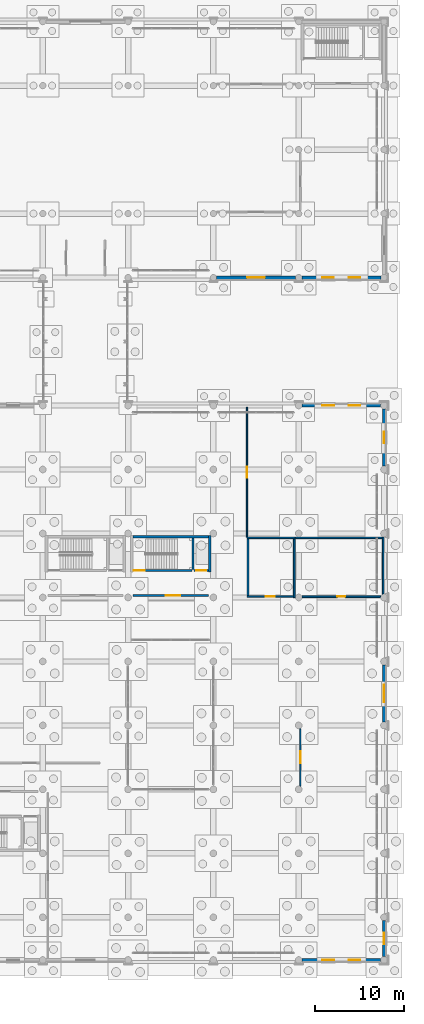
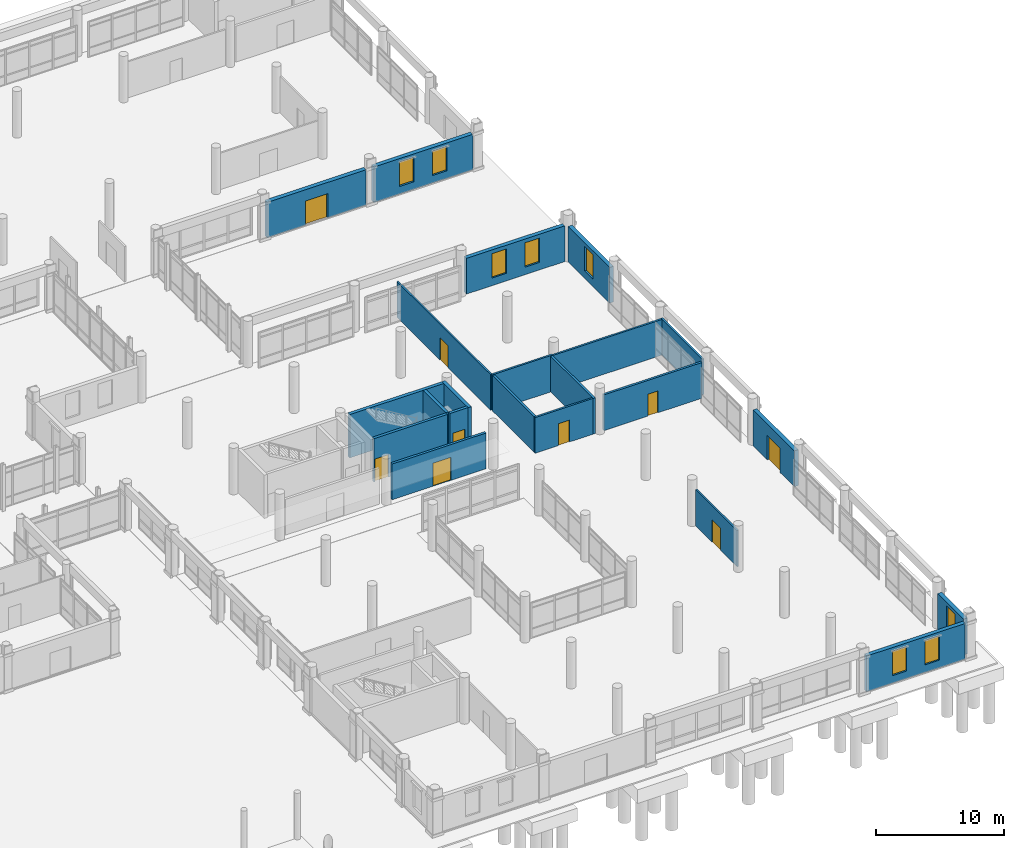
# One storey, part 166 of 196: 22 walls, 9 doors, 8 windows, 17 openings.
"""IFC4 building model written with IfcOpenShell, lengths in metres."""

from ifc_helpers import new_model, si_unit, direction, frame, frame_2d, origin, place, context, subcontext, project, spatial, rectangle, extrude, material, layer, layer_set, type_object, element, fill, save


model = new_model("IFC4")

# Units and contexts
model_context = context("Model", 3, precision=1e-05, world=origin(), true_north=direction((0.0, 1.0)))
body_context = subcontext(model_context, "Body", "Model", "MODEL_VIEW")
ifc_project = project(units=[si_unit("LENGTHUNIT", "METRE"), si_unit("AREAUNIT", "SQUARE_METRE"), si_unit("VOLUMEUNIT", "CUBIC_METRE"), si_unit("PLANEANGLEUNIT", "RADIAN"), si_unit("MASSUNIT", "GRAM", prefix="KILO")], contexts=[model_context])

# Site, building, storey
site_placement = place(None, origin())
site = spatial("IfcSite", under=ifc_project, at=site_placement, CompositionType="ELEMENT")
building_placement = place(site_placement, origin())
building = spatial("IfcBuilding", under=site, at=building_placement, Name="Asteropetra Specialist Clinic", CompositionType="ELEMENT")
storey_placement = place(building_placement, origin())
storey = spatial("IfcBuildingStorey", under=building, at=storey_placement, Name="L00", CompositionType="ELEMENT", Elevation=0.0)

# Wall, openings, windows
ifc_material_1 = material(Name="Pentelic marble ashlar", Category="masonry")
ifc_layer_1 = layer(ifc_material_1, 0.360107421875)
ifc_layer_set_1 = layer_set([ifc_layer_1], Name="Pentelic marble ashlar")
wall_type_1 = type_object("IfcWallType", Name="EW-PENTELIC-360", PredefinedType="SOLIDWALL", material=ifc_layer_set_1)
wall_1_placement = place(storey_placement, frame((144.375, 0.0, 0.0), z_axis=(0.0, 0.0, 1.0), x_axis=(1.0, 0.0, 0.0)))
wall_1 = element("IfcWall", 1, at=wall_1_placement, inside=storey, type_object=wall_type_1, Name="Exterior Wall EW-0196", PredefinedType="SOLIDWALL", context=body_context, shape_type="SweptSolid", body=[
    extrude(rectangle(XDim=8.85009765625, YDim=0.360107421875, at=frame_2d((4.425048828125, 0.0))), origin(), (0.0, 0.0, 1.0), 3.39990234375),
])
opening_1_placement = place(wall_1_placement, frame((2.300048828125, 0.0, 0.719970703125)))
opening_1 = element("IfcOpeningElement", 2, at=opening_1_placement, cuts=wall_1, Name="Opening W-0156", PredefinedType="OPENING", context=body_context, shape_type="SweptSolid", body=[
    extrude(rectangle(XDim=1.300048828125, YDim=2.320068359375, at=frame_2d((0.64990234375, 1.16015625))), frame((0.0, 0.18994140625, 0.0), z_axis=(0.0, -1.0, 0.0), x_axis=(1.0, 0.0, 0.0)), (0.0, 0.0, 1.0), 0.380126953125),
])
opening_2_placement = place(wall_1_placement, frame((5.25, 0.0, 0.719970703125)))
opening_2 = element("IfcOpeningElement", 3, at=opening_2_placement, cuts=wall_1, Name="Opening W-0157", PredefinedType="OPENING", context=body_context, shape_type="SweptSolid", body=[
    extrude(rectangle(XDim=1.300048828125, YDim=2.320068359375, at=frame_2d((0.64990234375, 1.16015625))), frame((0.0, 0.18994140625, 0.0), z_axis=(0.0, -1.0, 0.0), x_axis=(1.0, 0.0, 0.0)), (0.0, 0.0, 1.0), 0.380126953125),
])
ifc_material_2 = material(Name="Thermally broken bronze aluminium and low-E glass", Category="aluminium")
window_type = type_object("IfcWindowType", Name="WIN-T20", PartitioningType="DOUBLE_PANEL_VERTICAL", PredefinedType="WINDOW", material=ifc_material_2)
window_1_placement = place(opening_1_placement, origin())
window_1 = element("IfcWindow", 4, at=window_1_placement, inside=storey, type_object=window_type, Name="Window W-0156", OverallHeight=2.320068359375, OverallWidth=1.300048828125, PartitioningType="SINGLE_PANEL", PredefinedType="WINDOW", context=body_context, shape_type="SweptSolid", body=[
    extrude(rectangle(XDim=1.300048828125, YDim=2.320068359375, at=frame_2d((0.64990234375, 1.16015625))), frame((0.0, 0.030029296875, 0.0), z_axis=(0.0, -1.0, 0.0), x_axis=(1.0, 0.0, 0.0)), (0.0, 0.0, 1.0), 0.06005859375),
])
fill(opening_1, window_1)
window_2_placement = place(opening_2_placement, origin())
window_2 = element("IfcWindow", 5, at=window_2_placement, inside=storey, type_object=window_type, Name="Window W-0157", OverallHeight=2.320068359375, OverallWidth=1.300048828125, PartitioningType="SINGLE_PANEL", PredefinedType="WINDOW", context=body_context, shape_type="SweptSolid", body=[
    extrude(rectangle(XDim=1.300048828125, YDim=2.320068359375, at=frame_2d((0.64990234375, 1.16015625))), frame((0.0, 0.030029296875, 0.0), z_axis=(0.0, -1.0, 0.0), x_axis=(1.0, 0.0, 0.0)), (0.0, 0.0, 1.0), 0.06005859375),
])
fill(opening_2, window_2)

wall_2_placement = place(storey_placement, frame((153.22509765625, 62.39990234375, 0.0), z_axis=(0.0, 0.0, 1.0), x_axis=(-1.0, 0.0, 0.0)))
wall_2 = element("IfcWall", 6, at=wall_2_placement, inside=storey, type_object=wall_type_1, Name="Exterior Wall EW-0197", PredefinedType="SOLIDWALL", context=body_context, shape_type="SweptSolid", body=[
    extrude(rectangle(XDim=8.85009765625, YDim=0.360107421875, at=frame_2d((4.425048828125, 0.0))), origin(), (0.0, 0.0, 1.0), 3.39990234375),
])
opening_3_placement = place(wall_2_placement, frame((2.300048828125, 0.0, 0.719970703125)))
opening_3 = element("IfcOpeningElement", 7, at=opening_3_placement, cuts=wall_2, Name="Opening W-0158", PredefinedType="OPENING", context=body_context, shape_type="SweptSolid", body=[
    extrude(rectangle(XDim=1.300048828125, YDim=2.320068359375, at=frame_2d((0.64990234375, 1.16015625))), frame((0.0, 0.18994140625, 0.0), z_axis=(0.0, -1.0, 0.0), x_axis=(1.0, 0.0, 0.0)), (0.0, 0.0, 1.0), 0.380126953125),
])
opening_4_placement = place(wall_2_placement, frame((5.25, 0.0, 0.719970703125)))
opening_4 = element("IfcOpeningElement", 8, at=opening_4_placement, cuts=wall_2, Name="Opening W-0159", PredefinedType="OPENING", context=body_context, shape_type="SweptSolid", body=[
    extrude(rectangle(XDim=1.300048828125, YDim=2.320068359375, at=frame_2d((0.64990234375, 1.16015625))), frame((0.0, 0.18994140625, 0.0), z_axis=(0.0, -1.0, 0.0), x_axis=(1.0, 0.0, 0.0)), (0.0, 0.0, 1.0), 0.380126953125),
])
window_3_placement = place(opening_3_placement, origin())
window_3 = element("IfcWindow", 9, at=window_3_placement, inside=storey, type_object=window_type, Name="Window W-0158", OverallHeight=2.320068359375, OverallWidth=1.300048828125, PartitioningType="SINGLE_PANEL", PredefinedType="WINDOW", context=body_context, shape_type="SweptSolid", body=[
    extrude(rectangle(XDim=1.300048828125, YDim=2.320068359375, at=frame_2d((0.64990234375, 1.16015625))), frame((0.0, 0.030029296875, 0.0), z_axis=(0.0, -1.0, 0.0), x_axis=(1.0, 0.0, 0.0)), (0.0, 0.0, 1.0), 0.06005859375),
])
fill(opening_3, window_3)
window_4_placement = place(opening_4_placement, origin())
window_4 = element("IfcWindow", 10, at=window_4_placement, inside=storey, type_object=window_type, Name="Window W-0159", OverallHeight=2.320068359375, OverallWidth=1.300048828125, PartitioningType="SINGLE_PANEL", PredefinedType="WINDOW", context=body_context, shape_type="SweptSolid", body=[
    extrude(rectangle(XDim=1.300048828125, YDim=2.320068359375, at=frame_2d((0.64990234375, 1.16015625))), frame((0.0, 0.030029296875, 0.0), z_axis=(0.0, -1.0, 0.0), x_axis=(1.0, 0.0, 0.0)), (0.0, 0.0, 1.0), 0.06005859375),
])
fill(opening_4, window_4)

# Wall, opening, window
wall_3_placement = place(storey_placement, frame((153.60009765625, 0.375, 0.0), z_axis=(0.0, 0.0, 1.0), x_axis=(0.0, 1.0, 0.0)))
wall_3 = element("IfcWall", 11, at=wall_3_placement, inside=storey, type_object=wall_type_1, Name="Exterior Wall EW-0199", PredefinedType="SOLIDWALL", context=body_context, shape_type="SweptSolid", body=[
    extrude(rectangle(XDim=4.050048828125, YDim=0.360107421875, at=frame_2d((2.02490234375, 0.0))), origin(), (0.0, 0.0, 1.0), 3.39990234375),
])
opening_5_placement = place(wall_3_placement, frame((1.375, 0.0, 0.719970703125)))
opening_5 = element("IfcOpeningElement", 12, at=opening_5_placement, cuts=wall_3, Name="Opening W-0161", PredefinedType="OPENING", context=body_context, shape_type="SweptSolid", body=[
    extrude(rectangle(XDim=1.300048828125, YDim=2.320068359375, at=frame_2d((0.64990234375, 1.16015625))), frame((0.0, 0.18994140625, 0.0), z_axis=(0.0, -1.0, 0.0), x_axis=(1.0, 0.0, 0.0)), (0.0, 0.0, 1.0), 0.380126953125),
])
window_5_placement = place(opening_5_placement, origin())
window_5 = element("IfcWindow", 13, at=window_5_placement, inside=storey, type_object=window_type, Name="Window W-0161", OverallHeight=2.320068359375, OverallWidth=1.300048828125, PartitioningType="SINGLE_PANEL", PredefinedType="WINDOW", context=body_context, shape_type="SweptSolid", body=[
    extrude(rectangle(XDim=1.300048828125, YDim=2.320068359375, at=frame_2d((0.64990234375, 1.16015625))), frame((0.0, 0.030029296875, 0.0), z_axis=(0.0, -1.0, 0.0), x_axis=(1.0, 0.0, 0.0)), (0.0, 0.0, 1.0), 0.06005859375),
])
fill(opening_5, window_5)

# Wall, opening, door
wall_4_placement = place(storey_placement, frame((153.60009765625, 26.77490234375, 0.0), z_axis=(0.0, 0.0, 1.0), x_axis=(0.0, 1.0, 0.0)))
wall_4 = element("IfcWall", 14, at=wall_4_placement, inside=storey, type_object=wall_type_1, Name="Exterior Wall EW-0201", PredefinedType="SOLIDWALL", context=body_context, shape_type="SweptSolid", body=[
    extrude(rectangle(XDim=6.4501953125, YDim=0.360107421875, at=frame_2d((3.22509765625, 0.0))), origin(), (0.0, 0.0, 1.0), 3.39990234375),
])
opening_6_placement = place(wall_4_placement, frame((2.22509765625, 0.0, 0.0)))
opening_6 = element("IfcOpeningElement", 15, at=opening_6_placement, cuts=wall_4, Name="Opening ED-017", PredefinedType="OPENING", context=body_context, shape_type="SweptSolid", body=[
    extrude(rectangle(XDim=2.0, YDim=2.300048828125, at=frame_2d((1.0, 1.14990234375))), frame((0.0, 0.18994140625, 0.0), z_axis=(0.0, -1.0, 0.0), x_axis=(1.0, 0.0, 0.0)), (0.0, 0.0, 1.0), 0.380126953125),
])
ifc_material_3 = material(Name="Bronze aluminium and safety glass", Category="aluminium")
door_type_1 = type_object("IfcDoorType", Name="EDR-EXIT-2000", OperationType="DOUBLE_DOOR_SINGLE_SWING", PredefinedType="DOOR", material=ifc_material_3)
door_1_placement = place(opening_6_placement, origin())
door_1 = element("IfcDoor", 16, at=door_1_placement, inside=storey, type_object=door_type_1, Name="Exterior Door ED-017", OperationType="DOUBLE_DOOR_SINGLE_SWING", OverallHeight=2.300048828125, OverallWidth=2.0, PredefinedType="DOOR", context=body_context, shape_type="SweptSolid", body=[
    extrude(rectangle(XDim=2.0, YDim=2.300048828125, at=frame_2d((1.0, 1.14990234375))), frame((0.0, 0.02490234375, 0.0), z_axis=(0.0, -1.0, 0.0), x_axis=(1.0, 0.0, 0.0)), (0.0, 0.0, 1.0), 0.050048828125),
])
fill(opening_6, door_1)

# Wall, opening, window
wall_5_placement = place(storey_placement, frame((153.60009765625, 55.574951171875, 0.0), z_axis=(0.0, 0.0, 1.0), x_axis=(0.0, 1.0, 0.0)))
wall_5 = element("IfcWall", 17, at=wall_5_placement, inside=storey, type_object=wall_type_1, Name="Exterior Wall EW-0203", PredefinedType="SOLIDWALL", context=body_context, shape_type="SweptSolid", body=[
    extrude(rectangle(XDim=6.449951171875, YDim=0.360107421875, at=frame_2d((3.22509765625, 0.0))), origin(), (0.0, 0.0, 1.0), 3.39990234375),
])
opening_7_placement = place(wall_5_placement, frame((2.574951171875, 0.0, 0.719970703125)))
opening_7 = element("IfcOpeningElement", 18, at=opening_7_placement, cuts=wall_5, Name="Opening W-0163", PredefinedType="OPENING", context=body_context, shape_type="SweptSolid", body=[
    extrude(rectangle(XDim=1.300048828125, YDim=2.320068359375, at=frame_2d((0.64990234375, 1.16015625))), frame((0.0, 0.18994140625, 0.0), z_axis=(0.0, -1.0, 0.0), x_axis=(1.0, 0.0, 0.0)), (0.0, 0.0, 1.0), 0.380126953125),
])
window_6_placement = place(opening_7_placement, origin())
window_6 = element("IfcWindow", 19, at=window_6_placement, inside=storey, type_object=window_type, Name="Window W-0163", OverallHeight=2.320068359375, OverallWidth=1.300048828125, PartitioningType="SINGLE_PANEL", PredefinedType="WINDOW", context=body_context, shape_type="SweptSolid", body=[
    extrude(rectangle(XDim=1.300048828125, YDim=2.320068359375, at=frame_2d((0.64990234375, 1.16015625))), frame((0.0, 0.030029296875, 0.0), z_axis=(0.0, -1.0, 0.0), x_axis=(1.0, 0.0, 0.0)), (0.0, 0.0, 1.0), 0.06005859375),
])
fill(opening_7, window_6)

# Wall, opening, door
ifc_material_4 = material(Name="Pentelic marble ashlar", Category="masonry")
ifc_layer_2 = layer(ifc_material_4, 0.3798828125)
ifc_layer_set_2 = layer_set([ifc_layer_2], Name="Pentelic marble ashlar")
wall_type_2 = type_object("IfcWallType", Name="EW-PENTELIC-380", PredefinedType="SOLIDWALL", material=ifc_layer_set_2)
wall_6_placement = place(storey_placement, frame((134.75, 76.800048828125, 0.0), z_axis=(0.0, 0.0, 1.0), x_axis=(1.0, 0.0, 0.0)))
wall_6 = element("IfcWall", 20, at=wall_6_placement, inside=storey, type_object=wall_type_2, Name="Exterior Wall EW-0005", PredefinedType="SOLIDWALL", context=body_context, shape_type="SweptSolid", body=[
    extrude(rectangle(XDim=8.89990234375, YDim=0.3798828125, at=frame_2d((4.449951171875, 0.0))), origin(), (0.0, 0.0, 1.0), 3.3701171875),
])
opening_8_placement = place(wall_6_placement, frame((3.449951171875, 0.0, 0.0)))
opening_8 = element("IfcOpeningElement", 21, at=opening_8_placement, cuts=wall_6, Name="Opening ED-003", PredefinedType="OPENING", context=body_context, shape_type="SweptSolid", body=[
    extrude(rectangle(XDim=2.0, YDim=2.300048828125, at=frame_2d((1.0, 1.14990234375))), frame((0.0, 0.199951171875, 0.0), z_axis=(0.0, -1.0, 0.0), x_axis=(1.0, 0.0, 0.0)), (0.0, 0.0, 1.0), 0.39990234375),
])
door_2_placement = place(opening_8_placement, origin())
door_2 = element("IfcDoor", 22, at=door_2_placement, inside=storey, type_object=door_type_1, Name="Exterior Door ED-003", OperationType="DOUBLE_DOOR_SINGLE_SWING", OverallHeight=2.300048828125, OverallWidth=2.0, PredefinedType="DOOR", context=body_context, shape_type="SweptSolid", body=[
    extrude(rectangle(XDim=2.0, YDim=2.300048828125, at=frame_2d((1.0, 1.14990234375))), frame((0.0, 0.02490234375, 0.0), z_axis=(0.0, -1.0, 0.0), x_axis=(1.0, 0.0, 0.0)), (0.0, 0.0, 1.0), 0.050048828125),
])
fill(opening_8, door_2)

# Wall, openings, windows
wall_7_placement = place(storey_placement, frame((144.35009765625, 76.800048828125, 0.0), z_axis=(0.0, 0.0, 1.0), x_axis=(1.0, 0.0, 0.0)))
wall_7 = element("IfcWall", 23, at=wall_7_placement, inside=storey, type_object=wall_type_2, Name="Exterior Wall EW-0006", PredefinedType="SOLIDWALL", context=body_context, shape_type="SweptSolid", body=[
    extrude(rectangle(XDim=8.89990234375, YDim=0.3798828125, at=frame_2d((4.449951171875, 0.0))), origin(), (0.0, 0.0, 1.0), 3.3701171875),
])
opening_9_placement = place(wall_7_placement, frame((2.316650390625, 0.0, 0.719970703125)))
opening_9 = element("IfcOpeningElement", 24, at=opening_9_placement, cuts=wall_7, Name="Opening W-0003", PredefinedType="OPENING", context=body_context, shape_type="SweptSolid", body=[
    extrude(rectangle(XDim=1.300048828125, YDim=2.320068359375, at=frame_2d((0.64990234375, 1.16015625))), frame((0.0, 0.199951171875, 0.0), z_axis=(0.0, -1.0, 0.0), x_axis=(1.0, 0.0, 0.0)), (0.0, 0.0, 1.0), 0.39990234375),
])
opening_10_placement = place(wall_7_placement, frame((5.283203125, 0.0, 0.719970703125)))
opening_10 = element("IfcOpeningElement", 25, at=opening_10_placement, cuts=wall_7, Name="Opening W-0004", PredefinedType="OPENING", context=body_context, shape_type="SweptSolid", body=[
    extrude(rectangle(XDim=1.300048828125, YDim=2.320068359375, at=frame_2d((0.64990234375, 1.16015625))), frame((0.0, 0.199951171875, 0.0), z_axis=(0.0, -1.0, 0.0), x_axis=(1.0, 0.0, 0.0)), (0.0, 0.0, 1.0), 0.39990234375),
])
window_7_placement = place(opening_9_placement, origin())
window_7 = element("IfcWindow", 26, at=window_7_placement, inside=storey, type_object=window_type, Name="Window W-0003", OverallHeight=2.320068359375, OverallWidth=1.300048828125, PartitioningType="SINGLE_PANEL", PredefinedType="WINDOW", context=body_context, shape_type="SweptSolid", body=[
    extrude(rectangle(XDim=1.300048828125, YDim=2.320068359375, at=frame_2d((0.64990234375, 1.16015625))), frame((0.0, 0.030029296875, 0.0), z_axis=(0.0, -1.0, 0.0), x_axis=(1.0, 0.0, 0.0)), (0.0, 0.0, 1.0), 0.06005859375),
])
fill(opening_9, window_7)
window_8_placement = place(opening_10_placement, origin())
window_8 = element("IfcWindow", 27, at=window_8_placement, inside=storey, type_object=window_type, Name="Window W-0004", OverallHeight=2.320068359375, OverallWidth=1.300048828125, PartitioningType="SINGLE_PANEL", PredefinedType="WINDOW", context=body_context, shape_type="SweptSolid", body=[
    extrude(rectangle(XDim=1.300048828125, YDim=2.320068359375, at=frame_2d((0.64990234375, 1.16015625))), frame((0.0, 0.030029296875, 0.0), z_axis=(0.0, -1.0, 0.0), x_axis=(1.0, 0.0, 0.0)), (0.0, 0.0, 1.0), 0.06005859375),
])
fill(opening_10, window_8)

# Wall, opening, door
ifc_material_5 = material(Name="Fire-rated masonry and gypsum", Category="masonry")
ifc_layer_3 = layer(ifc_material_5, 0.219970703125)
ifc_layer_set_3 = layer_set([ifc_layer_3], Name="Fire-rated masonry and gypsum")
wall_type_3 = type_object("IfcWallType", Name="W-COMP-220", PredefinedType="PARTITIONING", material=ifc_layer_set_3)
wall_8_placement = place(storey_placement, frame((125.360107421875, 41.02001953125, 0.0), z_axis=(0.0, 0.0, 1.0), x_axis=(1.0, 0.0, 0.0)))
wall_8 = element("IfcWall", 28, at=wall_8_placement, inside=storey, type_object=wall_type_3, Name="Core Wall CW-C9-L00-LOB", PredefinedType="PARTITIONING", context=body_context, shape_type="SweptSolid", body=[
    extrude(rectangle(XDim=8.47998046875, YDim=0.219970703125, at=frame_2d((4.239990234375, 0.0))), origin(), (0.0, 0.0, 1.0), 3.39990234375),
])
opening_11_placement = place(wall_8_placement, frame((3.699951171875, 0.0, 0.0)))
opening_11 = element("IfcOpeningElement", 29, at=opening_11_placement, cuts=wall_8, Name="Opening FD-076", PredefinedType="OPENING", context=body_context, shape_type="SweptSolid", body=[
    extrude(rectangle(XDim=1.60009765625, YDim=2.199951171875, at=frame_2d((0.800048828125, 1.10009765625))), frame((0.0, 0.119873046875, 0.0), z_axis=(0.0, -1.0, 0.0), x_axis=(1.0, 0.0, 0.0)), (0.0, 0.0, 1.0), 0.239990234375),
])
ifc_material_6 = material(Name="Fire-rated steel and vision glass door", Category="steel")
door_type_2 = type_object("IfcDoorType", Name="FD-LOBBY-1600", OperationType="DOUBLE_DOOR_SINGLE_SWING", PredefinedType="DOOR", material=ifc_material_6)
door_3_placement = place(opening_11_placement, origin())
door_3 = element("IfcDoor", 30, at=door_3_placement, inside=storey, type_object=door_type_2, Name="Lobby Fire Door FD-076", OperationType="DOUBLE_DOOR_SINGLE_SWING", OverallHeight=2.199951171875, OverallWidth=1.60009765625, PredefinedType="DOOR", context=body_context, shape_type="SweptSolid", body=[
    extrude(rectangle(XDim=1.60009765625, YDim=2.199951171875, at=frame_2d((0.800048828125, 1.10009765625))), frame((0.0, 0.02490234375, 0.0), z_axis=(0.0, -1.0, 0.0), x_axis=(1.0, 0.0, 0.0)), (0.0, 0.0, 1.0), 0.050048828125),
])
fill(opening_11, door_3)

# Walls
ifc_material_7 = material(Name="Concrete C35/45", Category="concrete")
ifc_layer_4 = layer(ifc_material_7, 0.300048828125)
ifc_layer_set_4 = layer_set([ifc_layer_4], Name="Concrete C35/45")
wall_type_4 = type_object("IfcWallType", Name="W-CORE-300", PredefinedType="SHEAR", material=ifc_layer_set_4)
wall_9_placement = place(storey_placement, frame((133.97998046875, 43.68994140625, 0.0), z_axis=(0.0, 0.0, 1.0), x_axis=(0.0, 1.0, 0.0)))
element("IfcWall", 31, at=wall_9_placement, inside=storey, type_object=wall_type_4, Name="Core Wall CW-C9-L00-E", PredefinedType="SHEAR", context=body_context, shape_type="SweptSolid", body=[
    extrude(rectangle(XDim=4.10009765625, YDim=0.300048828125, at=frame_2d((2.050048828125, 0.0))), origin(), (0.0, 0.0, 1.0), 4.1201171875),
])
wall_10_placement = place(storey_placement, frame((125.364990234375, 47.639892578125, 0.0), z_axis=(0.0, 0.0, 1.0), x_axis=(1.0, 0.0, 0.0)))
element("IfcWall", 32, at=wall_10_placement, inside=storey, type_object=wall_type_4, Name="Core Wall CW-C9-L00-BACK", PredefinedType="SHEAR", context=body_context, shape_type="SweptSolid", body=[
    extrude(rectangle(XDim=8.469970703125, YDim=0.300048828125, at=frame_2d((4.23486328125, 0.0))), origin(), (0.0, 0.0, 1.0), 4.1201171875),
])

# Wall, opening, door
ifc_material_8 = material(Name="Laboratory partition", Category="masonry")
ifc_layer_5 = layer(ifc_material_8, 0.139892578125)
ifc_layer_set_5 = layer_set([ifc_layer_5], Name="Laboratory partition")
wall_type_5 = type_object("IfcWallType", Name="W-PART-140", PredefinedType="PARTITIONING", material=ifc_layer_set_5)
wall_11_placement = place(storey_placement, frame((138.179931640625, 47.596923828125, 0.0), z_axis=(0.0, 0.0, 1.0), x_axis=(0.0, 1.0, 0.0)))
wall_11 = element("IfcWall", 33, at=wall_11_placement, inside=storey, type_object=wall_type_5, Name="Interior Partition PW-0072", PredefinedType="PARTITIONING", context=body_context, shape_type="SweptSolid", body=[
    extrude(rectangle(XDim=14.623046875, YDim=0.139892578125, at=frame_2d((7.3115234375, 0.0))), origin(), (0.0, 0.0, 1.0), 3.39990234375),
])
opening_12_placement = place(wall_11_placement, frame((6.6865234375, 0.0, 0.0)))
opening_12 = element("IfcOpeningElement", 34, at=opening_12_placement, cuts=wall_11, Name="Opening ID-0046", PredefinedType="OPENING", context=body_context, shape_type="SweptSolid", body=[
    extrude(rectangle(XDim=1.25, YDim=2.1201171875, at=frame_2d((0.625, 1.06005859375))), frame((0.0, 0.079833984375, 0.0), z_axis=(0.0, -1.0, 0.0), x_axis=(1.0, 0.0, 0.0)), (0.0, 0.0, 1.0), 0.159912109375),
])
ifc_material_9 = material(Name="Antimicrobial laminate timber leaf in steel frame", Category="steel")
door_type_3 = type_object("IfcDoorType", Name="ID-SEMIN-1250", OperationType="NOTDEFINED", PredefinedType="DOOR", material=ifc_material_9)
door_4_placement = place(opening_12_placement, origin())
door_4 = element("IfcDoor", 35, at=door_4_placement, inside=storey, type_object=door_type_3, Name="Interior Door ID-0046", OperationType="SINGLE_SWING_LEFT", OverallHeight=2.1201171875, OverallWidth=1.25, PredefinedType="DOOR", context=body_context, shape_type="SweptSolid", body=[
    extrude(rectangle(XDim=1.25, YDim=2.1201171875, at=frame_2d((0.625, 1.06005859375))), frame((0.0, 0.02490234375, 0.0), z_axis=(0.0, -1.0, 0.0), x_axis=(1.0, 0.0, 0.0)), (0.0, 0.0, 1.0), 0.050048828125),
])
fill(opening_12, door_4)

ifc_material_10 = material(Name="Clinical consulting partition", Category="masonry")
ifc_layer_6 = layer(ifc_material_10, 0.14990234375)
ifc_layer_set_6 = layer_set([ifc_layer_6], Name="Clinical consulting partition")
wall_type_6 = type_object("IfcWallType", Name="W-PART-150", PredefinedType="PARTITIONING", material=ifc_layer_set_6)
wall_12_placement = place(storey_placement, frame((144.179931640625, 19.580078125, 0.0), z_axis=(0.0, 0.0, 1.0), x_axis=(0.0, 1.0, 0.0)))
wall_12 = element("IfcWall", 36, at=wall_12_placement, inside=storey, type_object=wall_type_6, Name="Interior Partition PW-0071", PredefinedType="PARTITIONING", context=body_context, shape_type="SweptSolid", body=[
    extrude(rectangle(XDim=6.43994140625, YDim=0.14990234375, at=frame_2d((3.219970703125, 0.0))), origin(), (0.0, 0.0, 1.0), 3.449951171875),
])
opening_13_placement = place(wall_12_placement, frame((2.544921875, 0.0, 0.0)))
opening_13 = element("IfcOpeningElement", 37, at=opening_13_placement, cuts=wall_12, Name="Opening ID-0045", PredefinedType="OPENING", context=body_context, shape_type="SweptSolid", body=[
    extrude(rectangle(XDim=1.35009765625, YDim=2.1201171875, at=frame_2d((0.675048828125, 1.06005859375))), frame((0.0, 0.0849609375, 0.0), z_axis=(0.0, -1.0, 0.0), x_axis=(1.0, 0.0, 0.0)), (0.0, 0.0, 1.0), 0.169921875),
])
ifc_material_11 = material(Name="Antimicrobial laminate timber leaf in steel frame", Category="steel")
door_type_4 = type_object("IfcDoorType", Name="ID-LAB-1350", OperationType="NOTDEFINED", PredefinedType="DOOR", material=ifc_material_11)
door_5_placement = place(opening_13_placement, origin())
door_5 = element("IfcDoor", 38, at=door_5_placement, inside=storey, type_object=door_type_4, Name="Interior Door ID-0045", OperationType="SINGLE_SWING_RIGHT", OverallHeight=2.1201171875, OverallWidth=1.35009765625, PredefinedType="DOOR", context=body_context, shape_type="SweptSolid", body=[
    extrude(rectangle(XDim=1.35009765625, YDim=2.1201171875, at=frame_2d((0.675048828125, 1.06005859375))), frame((0.0, 0.02490234375, 0.0), z_axis=(0.0, -1.0, 0.0), x_axis=(1.0, 0.0, 0.0)), (0.0, 0.0, 1.0), 0.050048828125),
])
fill(opening_13, door_5)

# Wall
ifc_material_12 = material(Name="En-suite plumbing wall", Category="masonry")
ifc_layer_7 = layer(ifc_material_12, 0.169921875)
ifc_layer_set_7 = layer_set([ifc_layer_7], Name="En-suite plumbing wall")
wall_type_7 = type_object("IfcWallType", Name="W-PLUMB-170", PredefinedType="PLUMBINGWALL", material=ifc_layer_set_7)
wall_13_placement = place(storey_placement, frame((138.195068359375, 47.510009765625, 0.0), z_axis=(0.0, 0.0, 1.0), x_axis=(1.0, 0.0, 0.0)))
element("IfcWall", 39, at=wall_13_placement, inside=storey, type_object=wall_type_7, Name="Interior Partition PW-0035", PredefinedType="PLUMBINGWALL", context=body_context, shape_type="SweptSolid", body=[
    extrude(rectangle(XDim=5.409912109375, YDim=0.169921875, at=frame_2d((2.705078125, 0.0))), origin(), (0.0, 0.0, 1.0), 3.4599609375),
])

# Wall, opening, door
wall_14_placement = place(storey_placement, frame((138.195068359375, 40.889892578125, 0.0), z_axis=(0.0, 0.0, 1.0), x_axis=(1.0, 0.0, 0.0)))
wall_14 = element("IfcWall", 40, at=wall_14_placement, inside=storey, type_object=wall_type_7, Name="Interior Partition PW-0037", PredefinedType="PLUMBINGWALL", context=body_context, shape_type="SweptSolid", body=[
    extrude(rectangle(XDim=5.212890625, YDim=0.169921875, at=frame_2d((2.6064453125, 0.0))), origin(), (0.0, 0.0, 1.0), 3.39990234375),
])
opening_14_placement = place(wall_14_placement, frame((2.116455078125, 0.0, 0.0)))
opening_14 = element("IfcOpeningElement", 41, at=opening_14_placement, cuts=wall_14, Name="Opening ID-0014", PredefinedType="OPENING", context=body_context, shape_type="SweptSolid", body=[
    extrude(rectangle(XDim=0.97998046875, YDim=2.080078125, at=frame_2d((0.489990234375, 1.0400390625))), frame((0.0, 0.094970703125, 0.0), z_axis=(0.0, -1.0, 0.0), x_axis=(1.0, 0.0, 0.0)), (0.0, 0.0, 1.0), 0.18994140625),
])
ifc_material_13 = material(Name="Antimicrobial laminate timber leaf in steel frame", Category="steel")
door_type_5 = type_object("IfcDoorType", Name="ID-AWC-0980", OperationType="NOTDEFINED", PredefinedType="DOOR", material=ifc_material_13)
door_6_placement = place(opening_14_placement, origin())
door_6 = element("IfcDoor", 42, at=door_6_placement, inside=storey, type_object=door_type_5, Name="Interior Door ID-0014", OperationType="SINGLE_SWING_RIGHT", OverallHeight=2.080078125, OverallWidth=0.97998046875, PredefinedType="DOOR", context=body_context, shape_type="SweptSolid", body=[
    extrude(rectangle(XDim=0.97998046875, YDim=2.080078125, at=frame_2d((0.489990234375, 1.0400390625))), frame((0.0, 0.02490234375, 0.0), z_axis=(0.0, -1.0, 0.0), x_axis=(1.0, 0.0, 0.0)), (0.0, 0.0, 1.0), 0.050048828125),
])
fill(opening_14, door_6)

# Walls
wall_15_placement = place(storey_placement, frame((153.510009765625, 41.179931640625, 0.0), z_axis=(0.0, 0.0, 1.0), x_axis=(0.0, 1.0, 0.0)))
element("IfcWall", 43, at=wall_15_placement, inside=storey, type_object=wall_type_7, Name="Interior Partition PW-0039", PredefinedType="PLUMBINGWALL", context=body_context, shape_type="SweptSolid", body=[
    extrude(rectangle(XDim=6.425048828125, YDim=0.169921875, at=frame_2d((3.21240234375, 0.0))), origin(), (0.0, 0.0, 1.0), 3.39990234375),
])
wall_16_placement = place(storey_placement, frame((143.612060546875, 47.510009765625, 0.0), z_axis=(0.0, 0.0, 1.0), x_axis=(1.0, 0.0, 0.0)))
element("IfcWall", 44, at=wall_16_placement, inside=storey, type_object=wall_type_7, Name="Interior Partition PW-0041", PredefinedType="PLUMBINGWALL", context=body_context, shape_type="SweptSolid", body=[
    extrude(rectangle(XDim=9.81103515625, YDim=0.169921875, at=frame_2d((4.905517578125, 0.0))), origin(), (0.0, 0.0, 1.0), 3.39990234375),
])
ifc_material_14 = material(Name="Sanitary service-chase wall", Category="masonry")
ifc_layer_8 = layer(ifc_material_14, 0.199951171875)
ifc_layer_set_8 = layer_set([ifc_layer_8], Name="Sanitary service-chase wall")
wall_type_8 = type_object("IfcWallType", Name="W-PLUMB-200", PredefinedType="PLUMBINGWALL", material=ifc_layer_set_8)
wall_17_placement = place(storey_placement, frame((143.510009765625, 40.794921875, 0.0), z_axis=(0.0, 0.0, 1.0), x_axis=(0.0, 1.0, 0.0)))
element("IfcWall", 45, at=wall_17_placement, inside=storey, type_object=wall_type_8, Name="Interior Partition PW-0036", PredefinedType="PLUMBINGWALL", context=body_context, shape_type="SweptSolid", body=[
    extrude(rectangle(XDim=6.628173828125, YDim=0.199951171875, at=frame_2d((3.31396484375, 0.0))), origin(), (0.0, 0.0, 1.0), 3.39990234375),
])
wall_18_placement = place(storey_placement, frame((138.2900390625, 40.97705078125, 0.0), z_axis=(0.0, 0.0, 1.0), x_axis=(0.0, 1.0, 0.0)))
element("IfcWall", 46, at=wall_18_placement, inside=storey, type_object=wall_type_8, Name="Interior Partition PW-0038", PredefinedType="PLUMBINGWALL", context=body_context, shape_type="SweptSolid", body=[
    extrude(rectangle(XDim=6.446044921875, YDim=0.199951171875, at=frame_2d((3.22314453125, 0.0))), origin(), (0.0, 0.0, 1.0), 3.39990234375),
])

# Wall, opening, door
wall_19_placement = place(storey_placement, frame((144.3798828125, 40.889892578125, 0.0), z_axis=(0.0, 0.0, 1.0), x_axis=(1.0, 0.0, 0.0)))
wall_19 = element("IfcWall", 47, at=wall_19_placement, inside=storey, type_object=wall_type_8, Name="Interior Partition PW-0040", PredefinedType="PLUMBINGWALL", context=body_context, shape_type="SweptSolid", body=[
    extrude(rectangle(XDim=8.840087890625, YDim=0.199951171875, at=frame_2d((4.419921875, 0.0))), origin(), (0.0, 0.0, 1.0), 3.39990234375),
])
opening_15_placement = place(wall_19_placement, frame((3.9599609375, 0.0, 0.0)))
opening_15 = element("IfcOpeningElement", 48, at=opening_15_placement, cuts=wall_19, Name="Opening ID-0015", PredefinedType="OPENING", context=body_context, shape_type="SweptSolid", body=[
    extrude(rectangle(XDim=0.919921875, YDim=2.080078125, at=frame_2d((0.4599609375, 1.0400390625))), frame((0.0, 0.10986328125, 0.0), z_axis=(0.0, -1.0, 0.0), x_axis=(1.0, 0.0, 0.0)), (0.0, 0.0, 1.0), 0.219970703125),
])
ifc_material_15 = material(Name="Antimicrobial laminate timber leaf in steel frame", Category="steel")
door_type_6 = type_object("IfcDoorType", Name="ID-WC-0920", OperationType="NOTDEFINED", PredefinedType="DOOR", material=ifc_material_15)
door_7_placement = place(opening_15_placement, origin())
door_7 = element("IfcDoor", 49, at=door_7_placement, inside=storey, type_object=door_type_6, Name="Interior Door ID-0015", OperationType="SINGLE_SWING_LEFT", OverallHeight=2.080078125, OverallWidth=0.919921875, PredefinedType="DOOR", context=body_context, shape_type="SweptSolid", body=[
    extrude(rectangle(XDim=0.919921875, YDim=2.080078125, at=frame_2d((0.4599609375, 1.0400390625))), frame((0.0, 0.02490234375, 0.0), z_axis=(0.0, -1.0, 0.0), x_axis=(1.0, 0.0, 0.0)), (0.0, 0.0, 1.0), 0.050048828125),
])
fill(opening_15, door_7)

# Wall
ifc_material_16 = material(Name="Concrete C35/45", Category="concrete")
ifc_layer_9 = layer(ifc_material_16, 0.25)
ifc_layer_set_9 = layer_set([ifc_layer_9], Name="Concrete C35/45")
wall_type_9 = type_object("IfcWallType", Name="W-SHAFT-250", PredefinedType="SHEAR", material=ifc_layer_set_9)
wall_20_placement = place(storey_placement, frame((132.10009765625, 43.9599609375, 0.0), z_axis=(0.0, 0.0, 1.0), x_axis=(0.0, 1.0, 0.0)))
element("IfcWall", 50, at=wall_20_placement, inside=storey, type_object=wall_type_9, Name="Core Wall CW-C9-L00-MID", PredefinedType="SHEAR", context=body_context, shape_type="SweptSolid", body=[
    extrude(rectangle(XDim=3.530029296875, YDim=0.25, at=frame_2d((1.76513671875, 0.0))), origin(), (0.0, 0.0, 1.0), 4.1201171875),
])

# Wall, opening, door
wall_21_placement = place(storey_placement, frame((125.364990234375, 43.840087890625, 0.0), z_axis=(0.0, 0.0, 1.0), x_axis=(1.0, 0.0, 0.0)))
wall_21 = element("IfcWall", 51, at=wall_21_placement, inside=storey, type_object=wall_type_9, Name="Core Wall CW-C9-L00-STDIV", PredefinedType="SHEAR", context=body_context, shape_type="SweptSolid", body=[
    extrude(rectangle(XDim=6.614990234375, YDim=0.25, at=frame_2d((3.3076171875, 0.0))), origin(), (0.0, 0.0, 1.0), 4.1201171875),
])
opening_16_placement = place(wall_21_placement, frame((0.080078125, 0.0, 0.0)))
opening_16 = element("IfcOpeningElement", 52, at=opening_16_placement, cuts=wall_21, Name="Opening FD-075", PredefinedType="OPENING", context=body_context, shape_type="SweptSolid", body=[
    extrude(rectangle(XDim=1.239990234375, YDim=2.14990234375, at=frame_2d((0.6201171875, 1.074951171875))), frame((0.0, 0.135009765625, 0.0), z_axis=(0.0, -1.0, 0.0), x_axis=(1.0, 0.0, 0.0)), (0.0, 0.0, 1.0), 0.27001953125),
])
ifc_material_17 = material(Name="Fire-rated steel and vision glass door", Category="steel")
door_type_7 = type_object("IfcDoorType", Name="FD-STAIR-1400", OperationType="DOUBLE_DOOR_SINGLE_SWING", PredefinedType="DOOR", material=ifc_material_17)
door_8_placement = place(opening_16_placement, origin())
door_8 = element("IfcDoor", 53, at=door_8_placement, inside=storey, type_object=door_type_7, Name="Stair Fire Door FD-075", OperationType="DOUBLE_DOOR_SINGLE_SWING", OverallHeight=2.14990234375, OverallWidth=1.239990234375, PredefinedType="DOOR", context=body_context, shape_type="SweptSolid", body=[
    extrude(rectangle(XDim=1.239990234375, YDim=2.14990234375, at=frame_2d((0.6201171875, 1.074951171875))), frame((0.0, 0.02490234375, 0.0), z_axis=(0.0, -1.0, 0.0), x_axis=(1.0, 0.0, 0.0)), (0.0, 0.0, 1.0), 0.050048828125),
])
fill(opening_16, door_8)

wall_22_placement = place(storey_placement, frame((132.219970703125, 43.840087890625, 0.0), z_axis=(0.0, 0.0, 1.0), x_axis=(1.0, 0.0, 0.0)))
wall_22 = element("IfcWall", 54, at=wall_22_placement, inside=storey, type_object=wall_type_9, Name="Lift Shaft Front Wall CW-C9-L00-LFTF", PredefinedType="SHEAR", context=body_context, shape_type="SweptSolid", body=[
    extrude(rectangle(XDim=1.614990234375, YDim=0.25, at=frame_2d((0.8076171875, 0.0))), origin(), (0.0, 0.0, 1.0), 4.1201171875),
])
opening_17_placement = place(wall_22_placement, frame((0.257568359375, 0.0, 0.0)))
opening_17 = element("IfcOpeningElement", 55, at=opening_17_placement, cuts=wall_22, Name="Opening LD-038", PredefinedType="OPENING", context=body_context, shape_type="SweptSolid", body=[
    extrude(rectangle(XDim=1.10009765625, YDim=2.14990234375, at=frame_2d((0.550048828125, 1.074951171875))), frame((0.0, 0.135009765625, 0.0), z_axis=(0.0, -1.0, 0.0), x_axis=(1.0, 0.0, 0.0)), (0.0, 0.0, 1.0), 0.27001953125),
])
ifc_material_18 = material(Name="Brushed stainless steel sliding lift landing door", Category="steel")
door_type_8 = type_object("IfcDoorType", Name="LD-PASS-1100", OperationType="DOUBLE_DOOR_SLIDING", PredefinedType="DOOR", material=ifc_material_18)
door_9_placement = place(opening_17_placement, origin())
door_9 = element("IfcDoor", 56, at=door_9_placement, inside=storey, type_object=door_type_8, Name="Lift Landing Door LD-038", OperationType="DOUBLE_DOOR_SLIDING", OverallHeight=2.14990234375, OverallWidth=1.10009765625, PredefinedType="DOOR", context=body_context, shape_type="SweptSolid", body=[
    extrude(rectangle(XDim=1.10009765625, YDim=2.14990234375, at=frame_2d((0.550048828125, 1.074951171875))), frame((0.0, 0.02490234375, 0.0), z_axis=(0.0, -1.0, 0.0), x_axis=(1.0, 0.0, 0.0)), (0.0, 0.0, 1.0), 0.050048828125),
])
fill(opening_17, door_9)

save(model, "model.ifc")
